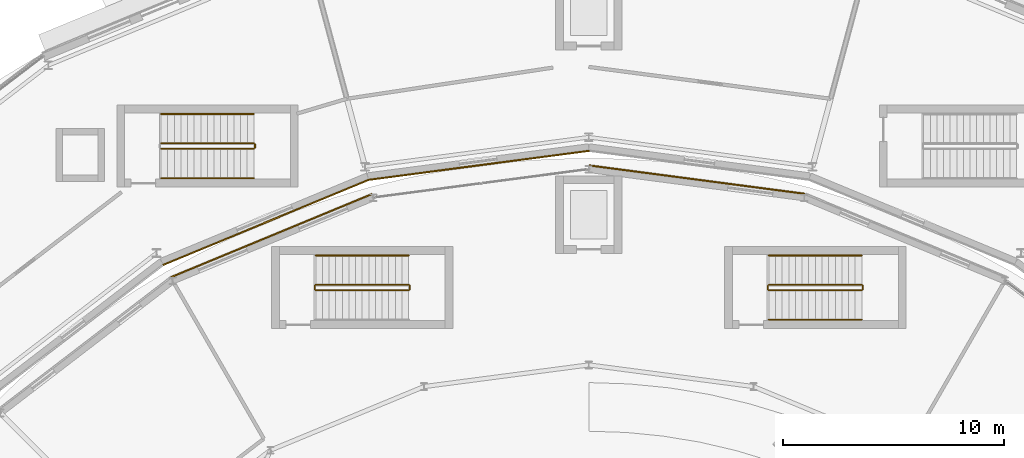
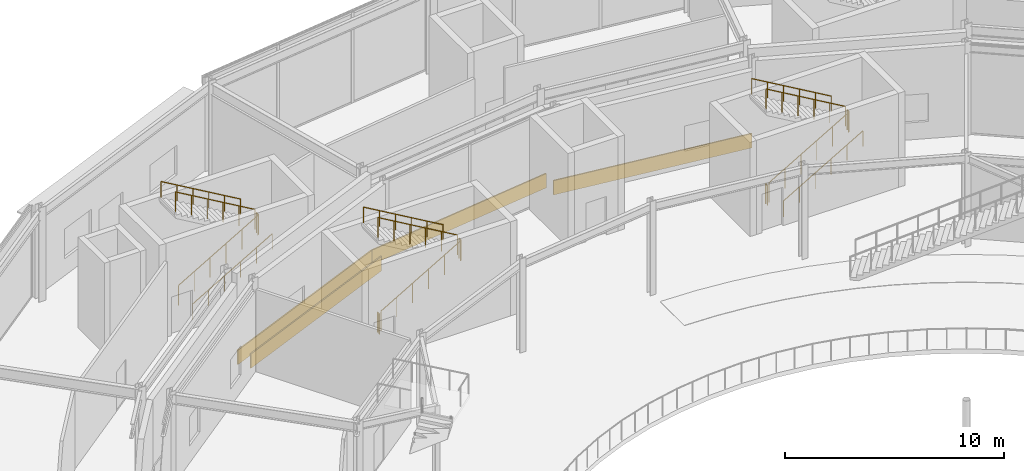
# One storey, part 159 of 168: 16 railings, 4 coverings.
"""IFC4 building model written with IfcOpenShell, lengths in metres."""

import ifcopenshell
import ifcopenshell.guid

model = None  # the IFC model being written
_history = None  # IfcOwnerHistory: only IFC2X3 demands one
_inside = {}  # id of a spatial element -> (the spatial element, [elements in it])
_under = {}  # id of a project, library or spatial element -> (it, [spatial elements below it])
_declared = {}  # id of a project -> (the project, [libraries it declares])
_typed = {}  # id of a type object -> (the type object, [elements of that type])
_made_of = {}  # id of a material, layer set ... -> (it, [elements and type objects made of it])


def new_model(schema):
    """Start an empty IFC model of exactly this schema.

    Asked for "IFC4X3", IfcOpenShell would pick the latest addendum, in which some entities
    have other attributes; the version numbers below select the first issue.
    IFC2X3 requires an IfcOwnerHistory on every rooted entity: one is made here for all.
    """
    global model, _history
    if schema == "IFC4X3":
        model = ifcopenshell.file(schema_version=(4, 3, 0, 0))
    else:
        model = ifcopenshell.file(schema=schema)
    _inside.clear()
    _under.clear()
    _declared.clear()
    _typed.clear()
    _made_of.clear()
    _history = None
    if model.schema == "IFC2X3":
        org = make("IfcOrganization", Name="unknown")
        user = make(
            "IfcPersonAndOrganization",
            ThePerson=make("IfcPerson", FamilyName="unknown"),
            TheOrganization=org,
        )
        app = make(
            "IfcApplication",
            ApplicationDeveloper=org,
            Version="unknown",
            ApplicationFullName="unknown",
            ApplicationIdentifier="unknown",
        )
        _history = make(
            "IfcOwnerHistory",
            OwningUser=user,
            OwningApplication=app,
            ChangeAction="ADDED",
            CreationDate=0,
        )
    return model


def make(cls, **values):
    """One entity of the class cls with the attributes given. An attribute that is None is left unset."""
    return model.create_entity(
        cls, **{name: value for name, value in values.items() if value is not None}
    )


def rooted(cls, **values):
    """An entity with a GlobalId (a new one), such as an element, a storey or a relation."""
    return make(cls, GlobalId=ifcopenshell.guid.new(), OwnerHistory=_history, **values)


def si_unit(unit_type, name, prefix=None):
    """IfcSIUnit, for example si_unit("LENGTHUNIT", "METRE", prefix="MILLI")."""
    return make("IfcSIUnit", UnitType=unit_type, Prefix=prefix, Name=name)


def assignment(units):
    """IfcUnitAssignment: the units of a project."""
    return None if units is None else make("IfcUnitAssignment", Units=units)


def point(xyz):
    """IfcCartesianPoint."""
    return None if xyz is None else make("IfcCartesianPoint", Coordinates=xyz)


def direction(xyz):
    """IfcDirection."""
    return None if xyz is None else make("IfcDirection", DirectionRatios=xyz)


def frame(location, z_axis=None, x_axis=None):
    """IfcAxis2Placement3D, a coordinate frame: its origin and axes. An axis left out is left unset."""
    return make(
        "IfcAxis2Placement3D",
        Location=point(location),
        Axis=direction(z_axis),
        RefDirection=direction(x_axis),
    )


def frame_2d(location, x_axis=None):
    """IfcAxis2Placement2D, a coordinate frame in the plane: its origin and x axis."""
    return make(
        "IfcAxis2Placement2D", Location=point(location), RefDirection=direction(x_axis)
    )


def origin():
    """The frame at (0, 0, 0) with its axes left unset."""
    return frame((0.0, 0.0, 0.0))


def origin_2d():
    """The frame at (0, 0) in the plane with its x axis left unset."""
    return frame_2d((0.0, 0.0))


def place(relative_to, where):
    """IfcLocalPlacement: puts the frame where relative to a parent placement (None: the world)."""
    return make(
        "IfcLocalPlacement", PlacementRelTo=relative_to, RelativePlacement=where
    )


def context(
    kind, dimensions, precision=None, world=None, true_north=None, identifier=None
):
    """IfcGeometricRepresentationContext, for example the 3D "Model" context."""
    return make(
        "IfcGeometricRepresentationContext",
        ContextIdentifier=identifier,
        ContextType=kind,
        CoordinateSpaceDimension=dimensions,
        Precision=precision,
        WorldCoordinateSystem=world,
        TrueNorth=true_north,
    )


def subcontext(parent, identifier, kind, view, scale=None):
    """IfcGeometricRepresentationSubContext, for example "Body" below "Model"."""
    return make(
        "IfcGeometricRepresentationSubContext",
        ContextIdentifier=identifier,
        ContextType=kind,
        ParentContext=parent,
        TargetScale=scale,
        TargetView=view,
    )


def project(units=None, contexts=None):
    """IfcProject with its units and contexts."""
    return rooted(
        "IfcProject",
        Name="project",
        RepresentationContexts=contexts,
        UnitsInContext=assignment(units),
    )


def spatial(cls, under=None, at=None, **own):
    """A site, building, storey or space (cls), placed at a placement, below another one or the project."""
    s = rooted(cls, ObjectPlacement=at, **own)
    if under is not None:
        _under.setdefault(under.id(), (under, []))[1].append(s)
    return s


def profile(cls, at=None, kind="AREA", **sizes):
    """A parametric profile (cls). Its sizes go by their IFC names, for example OverallWidth=200.0."""
    return make(cls, ProfileType=kind, Position=at, **sizes)


def rectangle(**sizes):
    """IfcRectangleProfileDef."""
    return profile("IfcRectangleProfileDef", **sizes)


def circle(**sizes):
    """IfcCircleProfileDef."""
    return profile("IfcCircleProfileDef", **sizes)


def extrude(swept, where, along, depth):
    """IfcExtrudedAreaSolid: the profile swept, set in the frame where, extruded along a direction by depth."""
    return make(
        "IfcExtrudedAreaSolid",
        SweptArea=swept,
        Position=where,
        ExtrudedDirection=direction(along),
        Depth=depth,
    )


def shape(context_of_items, identifier, shape_type, items):
    """IfcShapeRepresentation: the items that make up one representation, for example the "Body"."""
    return make(
        "IfcShapeRepresentation",
        ContextOfItems=context_of_items,
        RepresentationIdentifier=identifier,
        RepresentationType=shape_type,
        Items=items,
    )


def material(Name=None, Category=None):
    """IfcMaterial."""
    return make("IfcMaterial", Name=Name, Category=Category)


def layer(
    of_material, thickness, ventilated=None, Name=None, Category=None, Priority=None
):
    """IfcMaterialLayer: one layer of a wall or slab, of a material (None: an air gap)."""
    return make(
        "IfcMaterialLayer",
        Material=of_material,
        LayerThickness=thickness,
        IsVentilated=ventilated,
        Name=Name,
        Category=Category,
        Priority=Priority,
    )


def layer_set(layers, Name=None):
    """IfcMaterialLayerSet."""
    return make("IfcMaterialLayerSet", MaterialLayers=layers, LayerSetName=Name)


def made_of(thing, what):
    """Note that an element or type object is made of a material, layer set ...; save() writes the relation."""
    if what is not None:
        _made_of.setdefault(what.id(), (what, []))[1].append(thing)
    return thing


def type_object(cls, material=None, **own):
    """A type object (cls), such as IfcWallType, which elements share."""
    return made_of(rooted(cls, **own), material)


def element(
    cls,
    number,
    at=None,
    inside=None,
    cuts=None,
    type_object=None,
    material=None,
    context=None,
    identifier="Body",
    shape_type=None,
    held_by="IfcProductDefinitionShape",
    body=None,
    shapes=None,
    **own,
):
    """One element of the class cls, such as IfcWall. Its Tag is "e" and its number.

    at: its placement. inside: the storey or other place that contains it. cuts: it is an
    opening in that element (IfcRelVoidsElement). A single representation is given by context,
    identifier, shape_type and body (its items); several are given by shapes. held_by: the class
    of the entity that holds the representations. save() writes the other relations.
    """
    e = rooted(cls, Tag="e%d" % number, ObjectPlacement=at, **own)
    if body is not None:
        shapes = [shape(context, identifier, shape_type, body)]
    if shapes is not None:
        e.Representation = make(held_by, Representations=shapes)
    if inside is not None:
        _inside.setdefault(inside.id(), (inside, []))[1].append(e)
    if cuts is not None:
        rooted(
            "IfcRelVoidsElement", RelatingBuildingElement=cuts, RelatedOpeningElement=e
        )
    if type_object is not None:
        _typed.setdefault(type_object.id(), (type_object, []))[1].append(e)
    return made_of(e, material)


def aggregate(whole, parts):
    """IfcRelAggregates: a whole, such as a stair, and the parts it consists of."""
    return rooted("IfcRelAggregates", RelatingObject=whole, RelatedObjects=parts)


def save(model, path):
    """Write the relations noted so far, then the file.

    IfcRelAggregates (storeys below a building ...), IfcRelContainedInSpatialStructure (elements
    in a storey), IfcRelDefinesByType, IfcRelAssociatesMaterial and IfcRelDeclares: one each for
    every whole, place, type object, material and project.
    """
    for whole, parts in _under.values():
        aggregate(whole, parts)
    for where, things in _inside.values():
        rooted(
            "IfcRelContainedInSpatialStructure",
            RelatedElements=things,
            RelatingStructure=where,
        )
    for kind, things in _typed.values():
        rooted("IfcRelDefinesByType", RelatedObjects=things, RelatingType=kind)
    for what, things in _made_of.values():
        rooted("IfcRelAssociatesMaterial", RelatedObjects=things, RelatingMaterial=what)
    for by, libraries in _declared.values():
        rooted("IfcRelDeclares", RelatingContext=by, RelatedDefinitions=libraries)
    model.write(path)


model = new_model("IFC4")

# Units and contexts
model_context = context("Model", 3, precision=1e-05, world=origin(), true_north=direction((0.0, 1.0)))
body_context = subcontext(model_context, "Body", "Model", "MODEL_VIEW")
ifc_project = project(units=[si_unit("LENGTHUNIT", "METRE"), si_unit("AREAUNIT", "SQUARE_METRE"), si_unit("VOLUMEUNIT", "CUBIC_METRE"), si_unit("PLANEANGLEUNIT", "RADIAN"), si_unit("MASSUNIT", "GRAM", prefix="KILO")], contexts=[model_context])

# Site, building, storey
site_placement = place(None, origin())
site = spatial("IfcSite", under=ifc_project, at=site_placement, CompositionType="ELEMENT")
building_placement = place(site_placement, origin())
building = spatial("IfcBuilding", under=site, at=building_placement, Name="Almandine Court Research Institute", CompositionType="ELEMENT")
storey_placement = place(building_placement, origin())
storey = spatial("IfcBuildingStorey", under=building, at=storey_placement, Name="L00", CompositionType="ELEMENT", Elevation=0.0)

# Coverings
ifc_material_1 = material(Name="Honed Andean Red-Buff Sandstone Cladding", Category="masonry")
ifc_layer = layer(ifc_material_1, 0.06494140625)
ifc_layer_set = layer_set([ifc_layer], Name="Honed Andean Red-Buff Sandstone Cladding")
covering_type = type_object("IfcCoveringType", Name="Cov-CLAD-SAND", PredefinedType="CLADDING", material=ifc_layer_set)
for number, where, z_axis, x_axis, name in (
    (1, (82.02001953125, 93.827880859375, 0.02001953125), (0.0, 0.0, 1.0), (-0.991444861374, -0.13052619222, 0.0), "L00 Facade Spandrel Cladding Band 273"),
    (2, (72.39892578125, 91.25, 0.02001953125), (0.0, 0.0, 1.0), (-0.923879532511, -0.382683432365, 0.0), "L00 Facade Spandrel Cladding Band 275"),
):
    element("IfcCovering", number, at=place(storey_placement, frame(where, z_axis=z_axis, x_axis=x_axis)), inside=storey, type_object=covering_type, Name=name, PredefinedType="CLADDING", context=body_context, shape_type="SweptSolid", body=[
        extrude(rectangle(XDim=10.080078125, YDim=0.06494140625, at=origin_2d()), origin(), (0.0, 0.0, 1.0), 0.800048828125),
    ])
for number, where, z_axis, x_axis, name in (
    (3, (91.89501953125, 93.181884765625, 0.02001953125), (0.0, 0.0, 1.0), (0.991444861374, -0.13052619222, 0.0), "L00 Facade Spandrel Cladding Band 429"),
    (4, (72.64794921875, 90.64892578125, 0.02001953125), (0.0, 0.0, 1.0), (0.923879532511, 0.382683432365, 0.0), "L00 Facade Spandrel Cladding Band 430"),
):
    element("IfcCovering", number, at=place(storey_placement, frame(where, z_axis=z_axis, x_axis=x_axis)), inside=storey, type_object=covering_type, Name=name, PredefinedType="CLADDING", context=body_context, shape_type="SweptSolid", body=[
        extrude(rectangle(XDim=9.821044921875, YDim=0.06494140625, at=origin_2d()), origin(), (0.0, 0.0, 1.0), 0.800048828125),
    ])

# Railings
ifc_material_2 = material(Name="Powder-Coated Steel Stair and Atrium Balustrade", Category="steel")
railing_type_1 = type_object("IfcRailingType", Name="Rail-GUARD-INT", PredefinedType="BALUSTRADE", material=ifc_material_2)
railing_1_placement = place(storey_placement, frame((95.14990234375, 88.169921875, 0.175048828125)))
element("IfcRailing", 5, at=railing_1_placement, inside=storey, type_object=railing_type_1, Name="L00 ST-03 stair guard 1", PredefinedType="BALUSTRADE", context=body_context, shape_type="SweptSolid", body=[
    extrude(circle(Radius=0.02392578125, at=origin_2d()), frame((0.0, 0.0, 1.09619140625), z_axis=(0.863793468915, 0.0, 0.503846050951), x_axis=(0.0, 1.0, 0.0)), (0.0, 0.0, 1.0), 4.862548828125),
    extrude(circle(Radius=0.02099609375, at=origin_2d()), origin(), (0.0, 0.0, 1.0), 1.072021484375),
    extrude(circle(Radius=0.02099609375, at=origin_2d()), frame((0.840087890625, 0.0, 0.489990234375)), (0.0, 0.0, 1.0), 1.072021484375),
    extrude(circle(Radius=0.02099609375, at=origin_2d()), frame((1.68017578125, 0.0, 0.97998046875)), (0.0, 0.0, 1.0), 1.072021484375),
    extrude(circle(Radius=0.02099609375, at=origin_2d()), frame((2.52001953125, 0.0, 1.469970703125)), (0.0, 0.0, 1.0), 1.072021484375),
    extrude(circle(Radius=0.02099609375, at=origin_2d()), frame((3.360107421875, 0.0, 1.9599609375)), (0.0, 0.0, 1.0), 1.072021484375),
    extrude(circle(Radius=0.02099609375, at=origin_2d()), frame((4.2001953125, 0.0, 2.449951171875)), (0.0, 0.0, 1.0), 1.072021484375),
])
railing_2_placement = place(storey_placement, frame((99.39990234375, 88.219970703125, 2.625)))
element("IfcRailing", 6, at=railing_2_placement, inside=storey, type_object=railing_type_1, Name="L00 ST-03 stair guard 2", PredefinedType="BALUSTRADE", context=body_context, shape_type="SweptSolid", body=[
    extrude(circle(Radius=0.02392578125, at=origin_2d()), frame((0.0, 0.0, 1.09619140625), z_axis=(0.0, 1.0, 0.0), x_axis=(-1.0, 0.0, 0.0)), (0.0, 0.0, 1.0), 0.159912109375),
    extrude(circle(Radius=0.02099609375, at=origin_2d()), origin(), (0.0, 0.0, 1.0), 1.072021484375),
    extrude(circle(Radius=0.02099609375, at=origin_2d()), frame((0.0, 0.159912109375, 0.0)), (0.0, 0.0, 1.0), 1.072021484375),
])
railing_3_placement = place(storey_placement, frame((99.35009765625, 88.429931640625, 2.800048828125)))
element("IfcRailing", 7, at=railing_3_placement, inside=storey, type_object=railing_type_1, Name="L00 ST-03 stair guard 3", PredefinedType="BALUSTRADE", context=body_context, shape_type="SweptSolid", body=[
    extrude(circle(Radius=0.02392578125, at=origin_2d()), frame((0.0, 0.0, 1.09619140625), z_axis=(-0.863793468915, 0.0, 0.503846050951), x_axis=(0.0, -1.0, 0.0)), (0.0, 0.0, 1.0), 4.862548828125),
    extrude(circle(Radius=0.02099609375, at=origin_2d()), origin(), (0.0, 0.0, 1.0), 1.072021484375),
    extrude(circle(Radius=0.02099609375, at=origin_2d()), frame((-0.840087890625, 0.0, 0.489990234375)), (0.0, 0.0, 1.0), 1.072021484375),
    extrude(circle(Radius=0.02099609375, at=origin_2d()), frame((-1.68017578125, 0.0, 0.97998046875)), (0.0, 0.0, 1.0), 1.072021484375),
    extrude(circle(Radius=0.02099609375, at=origin_2d()), frame((-2.52001953125, 0.0, 1.469970703125)), (0.0, 0.0, 1.0), 1.072021484375),
    extrude(circle(Radius=0.02099609375, at=origin_2d()), frame((-3.360107421875, 0.0, 1.9599609375)), (0.0, 0.0, 1.0), 1.072021484375),
    extrude(circle(Radius=0.02099609375, at=origin_2d()), frame((-4.2001953125, 0.0, 2.449951171875)), (0.0, 0.0, 1.0), 1.072021484375),
])
railing_4_placement = place(storey_placement, frame((95.10009765625, 88.219970703125, 0.0)))
element("IfcRailing", 8, at=railing_4_placement, inside=storey, type_object=railing_type_1, Name="L00 ST-03 stair guard 4", PredefinedType="BALUSTRADE", context=body_context, shape_type="SweptSolid", body=[
    extrude(circle(Radius=0.02392578125, at=origin_2d()), frame((0.0, 0.0, 1.09619140625), z_axis=(0.0, 1.0, 0.0), x_axis=(-1.0, 0.0, 0.0)), (0.0, 0.0, 1.0), 0.159912109375),
    extrude(circle(Radius=0.02099609375, at=origin_2d()), origin(), (0.0, 0.0, 1.0), 1.072021484375),
    extrude(circle(Radius=0.02099609375, at=origin_2d()), frame((0.0, 0.159912109375, 0.0)), (0.0, 0.0, 1.0), 1.072021484375),
])
railing_5_placement = place(storey_placement, frame((74.64990234375, 88.169921875, 0.175048828125)))
element("IfcRailing", 9, at=railing_5_placement, inside=storey, type_object=railing_type_1, Name="L00 ST-04 stair guard 1", PredefinedType="BALUSTRADE", context=body_context, shape_type="SweptSolid", body=[
    extrude(circle(Radius=0.02392578125, at=origin_2d()), frame((0.0, 0.0, 1.09619140625), z_axis=(0.863793468915, 0.0, 0.503846050951), x_axis=(0.0, 1.0, 0.0)), (0.0, 0.0, 1.0), 4.862548828125),
    extrude(circle(Radius=0.02099609375, at=origin_2d()), origin(), (0.0, 0.0, 1.0), 1.072021484375),
    extrude(circle(Radius=0.02099609375, at=origin_2d()), frame((0.840087890625, 0.0, 0.489990234375)), (0.0, 0.0, 1.0), 1.072021484375),
    extrude(circle(Radius=0.02099609375, at=origin_2d()), frame((1.68017578125, 0.0, 0.97998046875)), (0.0, 0.0, 1.0), 1.072021484375),
    extrude(circle(Radius=0.02099609375, at=origin_2d()), frame((2.52001953125, 0.0, 1.469970703125)), (0.0, 0.0, 1.0), 1.072021484375),
    extrude(circle(Radius=0.02099609375, at=origin_2d()), frame((3.360107421875, 0.0, 1.9599609375)), (0.0, 0.0, 1.0), 1.072021484375),
    extrude(circle(Radius=0.02099609375, at=origin_2d()), frame((4.2001953125, 0.0, 2.449951171875)), (0.0, 0.0, 1.0), 1.072021484375),
])
railing_6_placement = place(storey_placement, frame((78.89990234375, 88.219970703125, 2.625)))
element("IfcRailing", 10, at=railing_6_placement, inside=storey, type_object=railing_type_1, Name="L00 ST-04 stair guard 2", PredefinedType="BALUSTRADE", context=body_context, shape_type="SweptSolid", body=[
    extrude(circle(Radius=0.02392578125, at=origin_2d()), frame((0.0, 0.0, 1.09619140625), z_axis=(0.0, 1.0, 0.0), x_axis=(-1.0, 0.0, 0.0)), (0.0, 0.0, 1.0), 0.159912109375),
    extrude(circle(Radius=0.02099609375, at=origin_2d()), origin(), (0.0, 0.0, 1.0), 1.072021484375),
    extrude(circle(Radius=0.02099609375, at=origin_2d()), frame((0.0, 0.159912109375, 0.0)), (0.0, 0.0, 1.0), 1.072021484375),
])
railing_7_placement = place(storey_placement, frame((78.85009765625, 88.429931640625, 2.800048828125)))
element("IfcRailing", 11, at=railing_7_placement, inside=storey, type_object=railing_type_1, Name="L00 ST-04 stair guard 3", PredefinedType="BALUSTRADE", context=body_context, shape_type="SweptSolid", body=[
    extrude(circle(Radius=0.02392578125, at=origin_2d()), frame((0.0, 0.0, 1.09619140625), z_axis=(-0.863793468915, 0.0, 0.503846050951), x_axis=(0.0, -1.0, 0.0)), (0.0, 0.0, 1.0), 4.862548828125),
    extrude(circle(Radius=0.02099609375, at=origin_2d()), origin(), (0.0, 0.0, 1.0), 1.072021484375),
    extrude(circle(Radius=0.02099609375, at=origin_2d()), frame((-0.840087890625, 0.0, 0.489990234375)), (0.0, 0.0, 1.0), 1.072021484375),
    extrude(circle(Radius=0.02099609375, at=origin_2d()), frame((-1.68017578125, 0.0, 0.97998046875)), (0.0, 0.0, 1.0), 1.072021484375),
    extrude(circle(Radius=0.02099609375, at=origin_2d()), frame((-2.52001953125, 0.0, 1.469970703125)), (0.0, 0.0, 1.0), 1.072021484375),
    extrude(circle(Radius=0.02099609375, at=origin_2d()), frame((-3.360107421875, 0.0, 1.9599609375)), (0.0, 0.0, 1.0), 1.072021484375),
    extrude(circle(Radius=0.02099609375, at=origin_2d()), frame((-4.2001953125, 0.0, 2.449951171875)), (0.0, 0.0, 1.0), 1.072021484375),
])
railing_8_placement = place(storey_placement, frame((74.60009765625, 88.219970703125, 0.0)))
element("IfcRailing", 12, at=railing_8_placement, inside=storey, type_object=railing_type_1, Name="L00 ST-04 stair guard 4", PredefinedType="BALUSTRADE", context=body_context, shape_type="SweptSolid", body=[
    extrude(circle(Radius=0.02392578125, at=origin_2d()), frame((0.0, 0.0, 1.09619140625), z_axis=(0.0, 1.0, 0.0), x_axis=(-1.0, 0.0, 0.0)), (0.0, 0.0, 1.0), 0.159912109375),
    extrude(circle(Radius=0.02099609375, at=origin_2d()), origin(), (0.0, 0.0, 1.0), 1.072021484375),
    extrude(circle(Radius=0.02099609375, at=origin_2d()), frame((0.0, 0.159912109375, 0.0)), (0.0, 0.0, 1.0), 1.072021484375),
])
railing_9_placement = place(storey_placement, frame((67.64990234375, 94.570068359375, 0.175048828125)))
element("IfcRailing", 13, at=railing_9_placement, inside=storey, type_object=railing_type_1, Name="L00 ST-10 stair guard 1", PredefinedType="BALUSTRADE", context=body_context, shape_type="SweptSolid", body=[
    extrude(circle(Radius=0.02392578125, at=origin_2d()), frame((0.0, 0.0, 1.09619140625), z_axis=(0.863793468915, 0.0, 0.503846050951), x_axis=(0.0, 1.0, 0.0)), (0.0, 0.0, 1.0), 4.862548828125),
    extrude(circle(Radius=0.02099609375, at=origin_2d()), origin(), (0.0, 0.0, 1.0), 1.072021484375),
    extrude(circle(Radius=0.02099609375, at=origin_2d()), frame((0.840087890625, 0.0, 0.489990234375)), (0.0, 0.0, 1.0), 1.072021484375),
    extrude(circle(Radius=0.02099609375, at=origin_2d()), frame((1.68017578125, 0.0, 0.97998046875)), (0.0, 0.0, 1.0), 1.072021484375),
    extrude(circle(Radius=0.02099609375, at=origin_2d()), frame((2.52001953125, 0.0, 1.469970703125)), (0.0, 0.0, 1.0), 1.072021484375),
    extrude(circle(Radius=0.02099609375, at=origin_2d()), frame((3.360107421875, 0.0, 1.9599609375)), (0.0, 0.0, 1.0), 1.072021484375),
    extrude(circle(Radius=0.02099609375, at=origin_2d()), frame((4.2001953125, 0.0, 2.449951171875)), (0.0, 0.0, 1.0), 1.072021484375),
])
railing_10_placement = place(storey_placement, frame((71.89990234375, 94.6201171875, 2.625)))
element("IfcRailing", 14, at=railing_10_placement, inside=storey, type_object=railing_type_1, Name="L00 ST-10 stair guard 2", PredefinedType="BALUSTRADE", context=body_context, shape_type="SweptSolid", body=[
    extrude(circle(Radius=0.02392578125, at=origin_2d()), frame((0.0, 0.0, 1.09619140625), z_axis=(0.0, 1.0, 0.0), x_axis=(-1.0, 0.0, 0.0)), (0.0, 0.0, 1.0), 0.159912109375),
    extrude(circle(Radius=0.02099609375, at=origin_2d()), origin(), (0.0, 0.0, 1.0), 1.072021484375),
    extrude(circle(Radius=0.02099609375, at=origin_2d()), frame((0.0, 0.159912109375, 0.0)), (0.0, 0.0, 1.0), 1.072021484375),
])
railing_11_placement = place(storey_placement, frame((71.85009765625, 94.830078125, 2.800048828125)))
element("IfcRailing", 15, at=railing_11_placement, inside=storey, type_object=railing_type_1, Name="L00 ST-10 stair guard 3", PredefinedType="BALUSTRADE", context=body_context, shape_type="SweptSolid", body=[
    extrude(circle(Radius=0.02392578125, at=origin_2d()), frame((0.0, 0.0, 1.09619140625), z_axis=(-0.863793468915, 0.0, 0.503846050951), x_axis=(0.0, -1.0, 0.0)), (0.0, 0.0, 1.0), 4.862548828125),
    extrude(circle(Radius=0.02099609375, at=origin_2d()), origin(), (0.0, 0.0, 1.0), 1.072021484375),
    extrude(circle(Radius=0.02099609375, at=origin_2d()), frame((-0.840087890625, 0.0, 0.489990234375)), (0.0, 0.0, 1.0), 1.072021484375),
    extrude(circle(Radius=0.02099609375, at=origin_2d()), frame((-1.68017578125, 0.0, 0.97998046875)), (0.0, 0.0, 1.0), 1.072021484375),
    extrude(circle(Radius=0.02099609375, at=origin_2d()), frame((-2.52001953125, 0.0, 1.469970703125)), (0.0, 0.0, 1.0), 1.072021484375),
    extrude(circle(Radius=0.02099609375, at=origin_2d()), frame((-3.360107421875, 0.0, 1.9599609375)), (0.0, 0.0, 1.0), 1.072021484375),
    extrude(circle(Radius=0.02099609375, at=origin_2d()), frame((-4.2001953125, 0.0, 2.449951171875)), (0.0, 0.0, 1.0), 1.072021484375),
])
ifc_material_3 = material(Name="Brushed Stainless Steel Wall Handrail", Category="steel")
railing_type_2 = type_object("IfcRailingType", Name="Rail-HAND-INT", PredefinedType="HANDRAIL", material=ifc_material_3)
railing_12_placement = place(storey_placement, frame((95.14990234375, 86.85009765625, 0.175048828125)))
element("IfcRailing", 16, at=railing_12_placement, inside=storey, type_object=railing_type_2, Name="L00 ST-03 stair handrail 1", PredefinedType="HANDRAIL", context=body_context, shape_type="SweptSolid", body=[
    extrude(circle(Radius=0.02392578125, at=origin_2d()), frame((0.0, 0.0, 0.8759765625), z_axis=(0.863793468915, 0.0, 0.503846050951), x_axis=(0.0, 1.0, 0.0)), (0.0, 0.0, 1.0), 4.862548828125),
    extrude(circle(Radius=0.02099609375, at=origin_2d()), origin(), (0.0, 0.0, 1.0), 0.851806640625),
    extrude(circle(Radius=0.02099609375, at=origin_2d()), frame((0.840087890625, 0.0, 0.489990234375)), (0.0, 0.0, 1.0), 0.851806640625),
    extrude(circle(Radius=0.02099609375, at=origin_2d()), frame((1.68017578125, 0.0, 0.97998046875)), (0.0, 0.0, 1.0), 0.851806640625),
    extrude(circle(Radius=0.02099609375, at=origin_2d()), frame((2.52001953125, 0.0, 1.469970703125)), (0.0, 0.0, 1.0), 0.851806640625),
    extrude(circle(Radius=0.02099609375, at=origin_2d()), frame((3.360107421875, 0.0, 1.9599609375)), (0.0, 0.0, 1.0), 0.851806640625),
    extrude(circle(Radius=0.02099609375, at=origin_2d()), frame((4.2001953125, 0.0, 2.449951171875)), (0.0, 0.0, 1.0), 0.851806640625),
])
for number, where, name in (
    (17, (99.35009765625, 89.75, 2.800048828125), "L00 ST-03 stair handrail 2"),
    (18, (78.85009765625, 89.75, 2.800048828125), "L00 ST-04 stair handrail 2"),
):
    element("IfcRailing", number, at=place(storey_placement, frame(where)), inside=storey, type_object=railing_type_2, Name=name, PredefinedType="HANDRAIL", context=body_context, shape_type="SweptSolid", body=[
        extrude(circle(Radius=0.02392578125, at=origin_2d()), frame((0.0, 0.0, 0.8759765625), z_axis=(-0.863793468915, 0.0, 0.503846050951), x_axis=(0.0, -1.0, 0.0)), (0.0, 0.0, 1.0), 4.862548828125),
        extrude(circle(Radius=0.02099609375, at=origin_2d()), origin(), (0.0, 0.0, 1.0), 0.851806640625),
        extrude(circle(Radius=0.02099609375, at=origin_2d()), frame((-0.840087890625, 0.0, 0.489990234375)), (0.0, 0.0, 1.0), 0.851806640625),
        extrude(circle(Radius=0.02099609375, at=origin_2d()), frame((-1.68017578125, 0.0, 0.97998046875)), (0.0, 0.0, 1.0), 0.851806640625),
        extrude(circle(Radius=0.02099609375, at=origin_2d()), frame((-2.52001953125, 0.0, 1.469970703125)), (0.0, 0.0, 1.0), 0.851806640625),
        extrude(circle(Radius=0.02099609375, at=origin_2d()), frame((-3.360107421875, 0.0, 1.9599609375)), (0.0, 0.0, 1.0), 0.851806640625),
        extrude(circle(Radius=0.02099609375, at=origin_2d()), frame((-4.2001953125, 0.0, 2.449951171875)), (0.0, 0.0, 1.0), 0.851806640625),
    ])
railing_13_placement = place(storey_placement, frame((67.64990234375, 93.25, 0.175048828125)))
element("IfcRailing", 19, at=railing_13_placement, inside=storey, type_object=railing_type_2, Name="L00 ST-10 stair handrail 1", PredefinedType="HANDRAIL", context=body_context, shape_type="SweptSolid", body=[
    extrude(circle(Radius=0.02392578125, at=origin_2d()), frame((0.0, 0.0, 0.8759765625), z_axis=(0.863793468915, 0.0, 0.503846050951), x_axis=(0.0, 1.0, 0.0)), (0.0, 0.0, 1.0), 4.862548828125),
    extrude(circle(Radius=0.02099609375, at=origin_2d()), origin(), (0.0, 0.0, 1.0), 0.851806640625),
    extrude(circle(Radius=0.02099609375, at=origin_2d()), frame((0.840087890625, 0.0, 0.489990234375)), (0.0, 0.0, 1.0), 0.851806640625),
    extrude(circle(Radius=0.02099609375, at=origin_2d()), frame((1.68017578125, 0.0, 0.97998046875)), (0.0, 0.0, 1.0), 0.851806640625),
    extrude(circle(Radius=0.02099609375, at=origin_2d()), frame((2.52001953125, 0.0, 1.469970703125)), (0.0, 0.0, 1.0), 0.851806640625),
    extrude(circle(Radius=0.02099609375, at=origin_2d()), frame((3.360107421875, 0.0, 1.9599609375)), (0.0, 0.0, 1.0), 0.851806640625),
    extrude(circle(Radius=0.02099609375, at=origin_2d()), frame((4.2001953125, 0.0, 2.449951171875)), (0.0, 0.0, 1.0), 0.851806640625),
])
railing_14_placement = place(storey_placement, frame((71.85009765625, 96.14990234375, 2.800048828125)))
element("IfcRailing", 20, at=railing_14_placement, inside=storey, type_object=railing_type_2, Name="L00 ST-10 stair handrail 2", PredefinedType="HANDRAIL", context=body_context, shape_type="SweptSolid", body=[
    extrude(circle(Radius=0.02392578125, at=origin_2d()), frame((0.0, 0.0, 0.8759765625), z_axis=(-0.863793468915, 0.0, 0.503846050951), x_axis=(0.0, -1.0, 0.0)), (0.0, 0.0, 1.0), 4.862548828125),
    extrude(circle(Radius=0.02099609375, at=origin_2d()), origin(), (0.0, 0.0, 1.0), 0.851806640625),
    extrude(circle(Radius=0.02099609375, at=origin_2d()), frame((-0.840087890625, 0.0, 0.489990234375)), (0.0, 0.0, 1.0), 0.851806640625),
    extrude(circle(Radius=0.02099609375, at=origin_2d()), frame((-1.68017578125, 0.0, 0.97998046875)), (0.0, 0.0, 1.0), 0.851806640625),
    extrude(circle(Radius=0.02099609375, at=origin_2d()), frame((-2.52001953125, 0.0, 1.469970703125)), (0.0, 0.0, 1.0), 0.851806640625),
    extrude(circle(Radius=0.02099609375, at=origin_2d()), frame((-3.360107421875, 0.0, 1.9599609375)), (0.0, 0.0, 1.0), 0.851806640625),
    extrude(circle(Radius=0.02099609375, at=origin_2d()), frame((-4.2001953125, 0.0, 2.449951171875)), (0.0, 0.0, 1.0), 0.851806640625),
])

save(model, "model.ifc")
